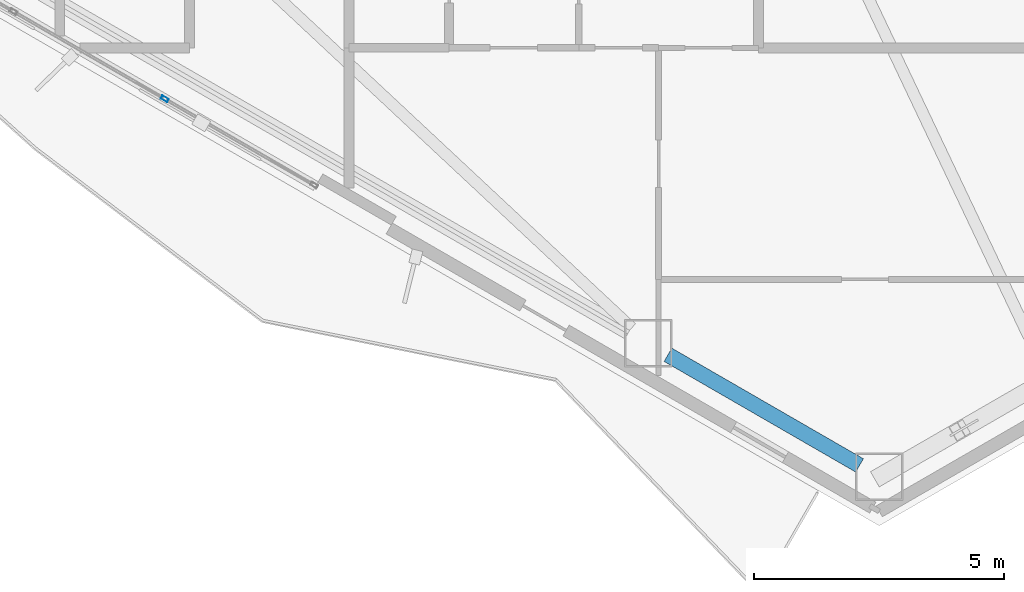
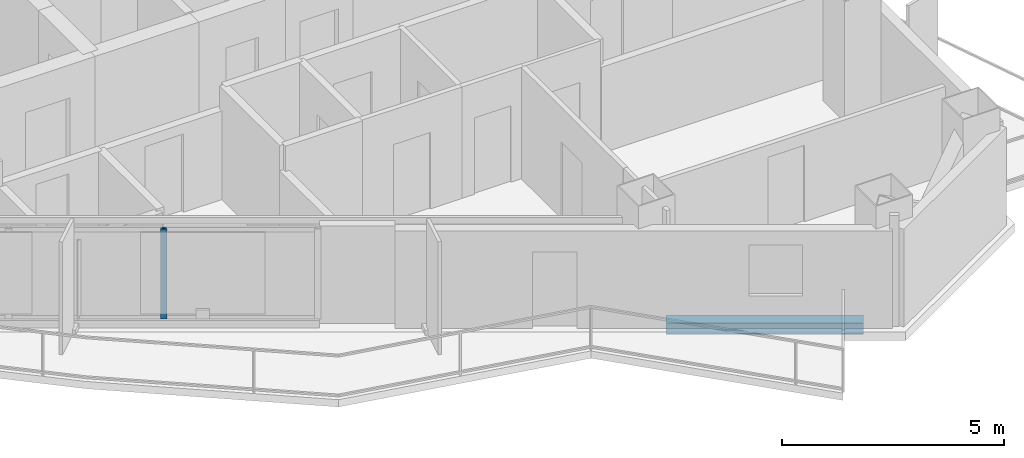
# One storey, part 3 of 18: 1 beam, 1 member, 1 element without a shape of its own.
"""IFC4 building model written with IfcOpenShell, lengths in metres."""

from ifc_helpers import new_model, si_unit, direction, frame, origin, origin_2d, place, context, subcontext, project, spatial, hollow_rectangle, i_section, extrude, material, layer, layer_set, material_profile, profile_set, type_object, element, aggregate, save


model = new_model("IFC4")

# Units and contexts
model_context = context("Model", 3, precision=1e-05, world=origin(), true_north=direction((0.0, 1.0)))
body_context = subcontext(model_context, "Body", "Model", "MODEL_VIEW")
ifc_project = project(units=[si_unit("LENGTHUNIT", "METRE"), si_unit("AREAUNIT", "SQUARE_METRE"), si_unit("VOLUMEUNIT", "CUBIC_METRE"), si_unit("PLANEANGLEUNIT", "RADIAN"), si_unit("MASSUNIT", "GRAM", prefix="KILO")], contexts=[model_context])

# Site, building, storey
site_placement = place(None, origin())
site = spatial("IfcSite", under=ifc_project, at=site_placement, CompositionType="ELEMENT")
building_placement = place(site_placement, origin())
building = spatial("IfcBuilding", under=site, at=building_placement, Name="Mersakhor Tower and Convention Hall", CompositionType="ELEMENT")
storey_placement = place(building_placement, frame((0.0, 0.0, 137.699951171875)))
storey = spatial("IfcBuildingStorey", under=building, at=storey_placement, Name="L38", CompositionType="ELEMENT", Elevation=137.699951171875)

# Beam
ifc_material_1 = material(Name="Steel S355", Category="steel")
ifc_material_profile_1 = material_profile(ifc_material_1, i_section(OverallWidth=0.30908203125, OverallDepth=0.320556640625, WebThickness=0.013916015625, FlangeThickness=0.021728515625, at=origin_2d()), Name="UC 305x305x137")
ifc_profile_set_1 = profile_set([ifc_material_profile_1], Name="Steel S355")
beam_type = type_object("IfcBeamType", Name="BM-SPD-UC305", PredefinedType="SPANDREL", material=ifc_profile_set_1)
beam_placement = place(storey_placement, frame((37.826416015625, 7.082763671875, -0.400146484375), z_axis=(-0.866038875684, 0.49997666526, 0.0), x_axis=(-0.49997666526, -0.866038875684, 0.0)))
element("IfcBeam", 1, at=beam_placement, inside=storey, type_object=beam_type, Name="L38 Perimeter Spandrel Beam SPB-09", PredefinedType="SPANDREL", context=body_context, shape_type="SweptSolid", body=[
    extrude(i_section(OverallWidth=0.30908203125, OverallDepth=0.320556640625, WebThickness=0.013916015625, FlangeThickness=0.021728515625, at=origin_2d()), origin(), (0.0, 0.0, 1.0), 4.433837890625),
])

# Curtain wall, member
ifc_material_2 = material(Name="Dark solar low-E aluminium curtain wall", Category="aluminium")
ifc_layer = layer(ifc_material_2, 0.169921875)
ifc_layer_set = layer_set([ifc_layer], Name="Dark solar low-E aluminium curtain wall")
curtain_wall_type = type_object("IfcCurtainWallType", Name="CW-SYS-02", PredefinedType="USERDEFINED", material=ifc_layer_set)
curtain_wall_placement = place(storey_placement, origin())
curtain_wall = element("IfcCurtainWall", 2, at=curtain_wall_placement, inside=storey, type_object=curtain_wall_type, Name="L38 Dark-Glass Curtain Wall F3-B2", ObjectType="CURTAIN WALL", PredefinedType="USERDEFINED")
ifc_material_3 = material(Name="Anodised aluminium EN AW-6063 T6", Category="aluminium")
ifc_material_profile_2 = material_profile(ifc_material_3, hollow_rectangle(XDim=0.074951171875, YDim=0.14990234375, WallThickness=0.00634765625, at=origin_2d()), Name="RHS 150x75x6.3")
ifc_profile_set_2 = profile_set([ifc_material_profile_2], Name="Anodised aluminium EN AW-6063 T6")
member_type = type_object("IfcMemberType", Name="CWM-150x75", PredefinedType="MULLION", material=ifc_profile_set_2)
member_placement = place(storey_placement, frame((23.904052734375, 14.427978515625, 0.199951171875), z_axis=(0.0, 0.0, 1.0), x_axis=(-0.499990468363, -0.866030906807, 0.0)))
member = element("IfcMember", 3, at=member_placement, type_object=member_type, Name="CW-02 mullion 2", PredefinedType="MULLION", context=body_context, shape_type="SweptSolid", body=[
    extrude(hollow_rectangle(XDim=0.074951171875, YDim=0.14990234375, WallThickness=0.00634765625, at=origin_2d()), origin(), (0.0, 0.0, 1.0), 2.47998046875),
])
aggregate(curtain_wall, [member])

save(model, "model.ifc")
